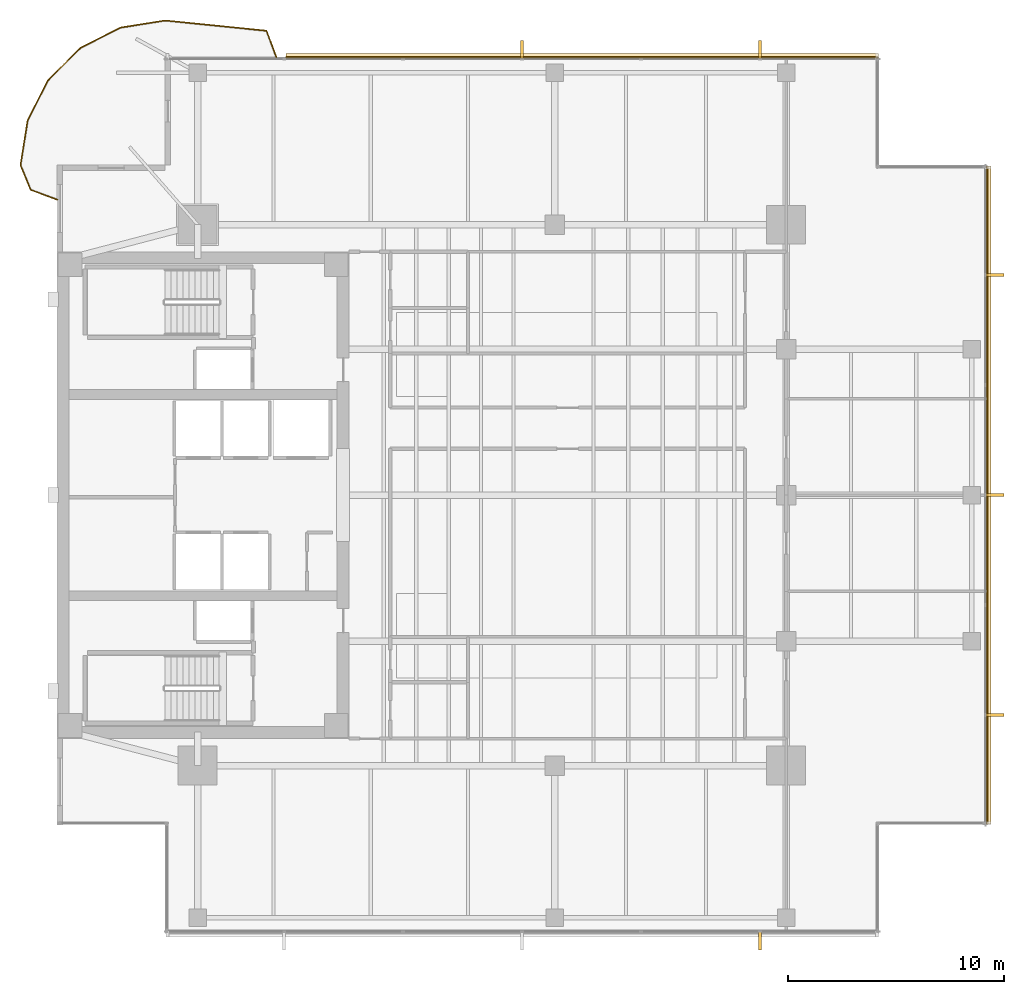
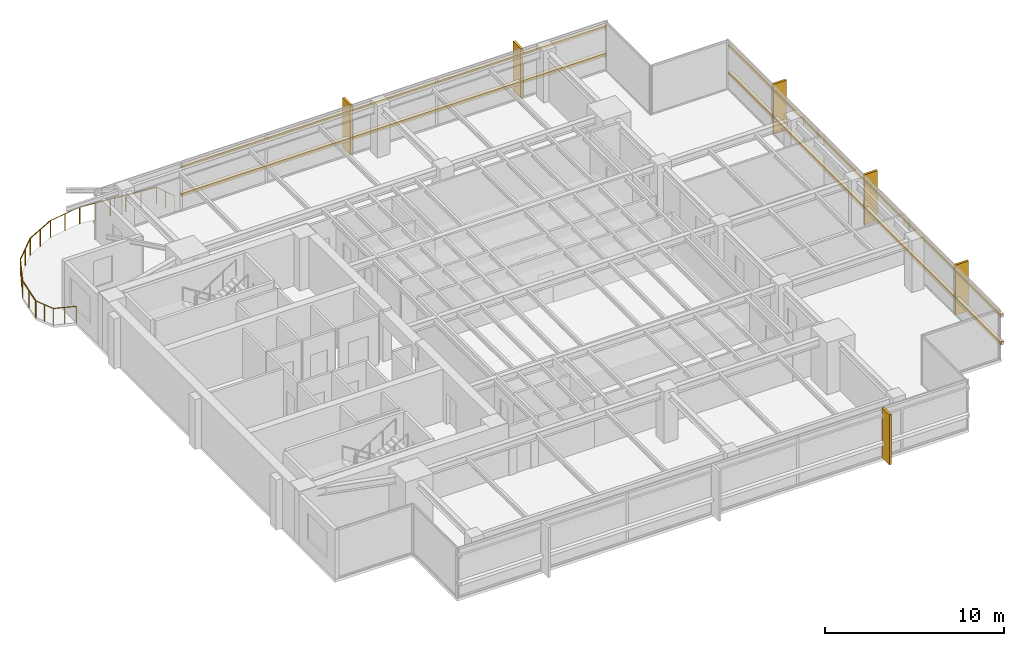
# One storey, part 14 of 14: 10 coverings, 9 railings, 4 shading devices.
"""IFC4 building model written with IfcOpenShell, lengths in metres."""

from ifc_helpers import new_model, si_unit, direction, frame, origin, origin_2d, place, context, subcontext, project, spatial, polyline, rectangle, circle, outline, extrude, material, layer, layer_set, material_profile, profile_set, type_object, element, save


model = new_model("IFC4")

# Units and contexts
model_context = context("Model", 3, precision=1e-05, world=origin(), true_north=direction((0.0, 1.0)))
body_context = subcontext(model_context, "Body", "Model", "MODEL_VIEW")
ifc_project = project(units=[si_unit("LENGTHUNIT", "METRE"), si_unit("AREAUNIT", "SQUARE_METRE"), si_unit("VOLUMEUNIT", "CUBIC_METRE"), si_unit("PLANEANGLEUNIT", "RADIAN"), si_unit("MASSUNIT", "GRAM", prefix="KILO")], contexts=[model_context])

# Site, building, storey
site_placement = place(None, origin())
site = spatial("IfcSite", under=ifc_project, at=site_placement, CompositionType="ELEMENT")
building_placement = place(site_placement, origin())
building = spatial("IfcBuilding", under=site, at=building_placement, Name="Kinhvarn Gate Tower", CompositionType="ELEMENT")
storey_placement = place(building_placement, frame((0.0, 0.0, 209.35009765625)))
storey = spatial("IfcBuildingStorey", under=building, at=storey_placement, Name="L55", CompositionType="ELEMENT", Elevation=209.35009765625)

# Coverings
ifc_material_1 = material(Name="Fired architectural terracotta", Category="masonry")
ifc_layer_1 = layer(ifc_material_1, 0.239990234375)
ifc_layer_set_1 = layer_set([ifc_layer_1], Name="Fired architectural terracotta")
covering_type_1 = type_object("IfcCoveringType", Name="COV-BAG-220", PredefinedType="CLADDING", material=ifc_layer_set_1)
for number, where, name in (
    (1, (0.0, 0.0, 0.93994140625), "Terracotta Horizontal Sunscreen Band TBG-220 (L55)"),
    (2, (0.0, 0.0, 2.809814453125), "Terracotta Horizontal Sunscreen Band TBG-220 (L55)"),
):
    element("IfcCovering", number, at=place(storey_placement, frame(where)), inside=storey, type_object=covering_type_1, Name=name, PredefinedType="CLADDING", context=body_context, shape_type="SweptSolid", body=[
        extrude(outline(polyline([(42.4599609375, 45.429931640625), (15.0810546875, 45.429931640625), (15.0810546875, 45.669921875), (42.4599609375, 45.669921875), (42.4599609375, 45.429931640625)])), origin(), (0.0, 0.0, 1.0), 0.219970703125),
    ])
for number, where, name in (
    (3, (0.0, 0.0, 0.93994140625), "Terracotta Horizontal Sunscreen Band TBG-220 (L55)"),
    (4, (0.0, 0.0, 2.809814453125), "Terracotta Horizontal Sunscreen Band TBG-220 (L55)"),
):
    element("IfcCovering", number, at=place(storey_placement, frame(where)), inside=storey, type_object=covering_type_1, Name=name, PredefinedType="CLADDING", context=body_context, shape_type="SweptSolid", body=[
        extrude(outline(polyline([(47.429931640625, 10.0400390625), (47.429931640625, 40.4599609375), (47.669921875, 40.4599609375), (47.669921875, 10.0400390625), (47.429931640625, 10.0400390625)])), origin(), (0.0, 0.0, 1.0), 0.219970703125),
    ])
ifc_layer_2 = layer(ifc_material_1, 0.139892578125)
ifc_layer_set_2 = layer_set([ifc_layer_2], Name="Fired architectural terracotta")
covering_type_2 = type_object("IfcCoveringType", Name="COV-FIN-850", PredefinedType="CLADDING", material=ifc_layer_set_2)
covering_1_placement = place(storey_placement, frame((0.0, 0.0, -0.02001953125)))
element("IfcCovering", 5, at=covering_1_placement, inside=storey, type_object=covering_type_2, Name="Vertical Terracotta Expressive Fin TFN-850 (L55)", PredefinedType="CLADDING", context=body_context, shape_type="SweptSolid", body=[
    extrude(outline(polyline([(36.929931640625, 5.080078125), (37.070068359375, 5.080078125), (37.070068359375, 4.22998046875), (36.929931640625, 4.22998046875), (36.929931640625, 5.080078125)])), origin(), (0.0, 0.0, 1.0), 3.409912109375),
])
covering_2_placement = place(storey_placement, frame((0.0, 0.0, -0.02001953125)))
element("IfcCovering", 6, at=covering_2_placement, inside=storey, type_object=covering_type_2, Name="Vertical Terracotta Expressive Fin TFN-850 (L55)", PredefinedType="CLADDING", context=body_context, shape_type="SweptSolid", body=[
    extrude(outline(polyline([(37.070068359375, 45.419921875), (36.929931640625, 45.419921875), (36.929931640625, 46.27001953125), (37.070068359375, 46.27001953125), (37.070068359375, 45.419921875)])), origin(), (0.0, 0.0, 1.0), 3.409912109375),
])
covering_3_placement = place(storey_placement, frame((0.0, 0.0, -0.02001953125)))
element("IfcCovering", 7, at=covering_3_placement, inside=storey, type_object=covering_type_2, Name="Vertical Terracotta Expressive Fin TFN-850 (L55)", PredefinedType="CLADDING", context=body_context, shape_type="SweptSolid", body=[
    extrude(outline(polyline([(26.070068359375, 45.419921875), (25.929931640625, 45.419921875), (25.929931640625, 46.27001953125), (26.070068359375, 46.27001953125), (26.070068359375, 45.419921875)])), origin(), (0.0, 0.0, 1.0), 3.409912109375),
])
covering_4_placement = place(storey_placement, frame((0.0, 0.0, -0.02001953125)))
element("IfcCovering", 8, at=covering_4_placement, inside=storey, type_object=covering_type_2, Name="Vertical Terracotta Expressive Fin TFN-850 (L55)", PredefinedType="CLADDING", context=body_context, shape_type="SweptSolid", body=[
    extrude(outline(polyline([(47.419921875, 15.01318359375), (47.419921875, 15.1533203125), (48.27001953125, 15.1533203125), (48.27001953125, 15.01318359375), (47.419921875, 15.01318359375)])), origin(), (0.0, 0.0, 1.0), 3.409912109375),
])
covering_5_placement = place(storey_placement, frame((0.0, 0.0, -0.02001953125)))
element("IfcCovering", 9, at=covering_5_placement, inside=storey, type_object=covering_type_2, Name="Vertical Terracotta Expressive Fin TFN-850 (L55)", PredefinedType="CLADDING", context=body_context, shape_type="SweptSolid", body=[
    extrude(outline(polyline([(47.419921875, 25.179931640625), (47.419921875, 25.320068359375), (48.27001953125, 25.320068359375), (48.27001953125, 25.179931640625), (47.419921875, 25.179931640625)])), origin(), (0.0, 0.0, 1.0), 3.409912109375),
])
covering_6_placement = place(storey_placement, frame((0.0, 0.0, -0.02001953125)))
element("IfcCovering", 10, at=covering_6_placement, inside=storey, type_object=covering_type_2, Name="Vertical Terracotta Expressive Fin TFN-850 (L55)", PredefinedType="CLADDING", context=body_context, shape_type="SweptSolid", body=[
    extrude(outline(polyline([(47.419921875, 35.3466796875), (47.419921875, 35.48681640625), (48.27001953125, 35.48681640625), (48.27001953125, 35.3466796875), (47.419921875, 35.3466796875)])), origin(), (0.0, 0.0, 1.0), 3.409912109375),
])

# Railings
ifc_material_2 = material(Name="Clear low-e double glazing", Category="glass")
railing_type = type_object("IfcRailingType", Name="RL-BAL-1150", PredefinedType="BALUSTRADE", material=ifc_material_2)
railing_1_placement = place(storey_placement, frame((14.631103515625, 45.5, 0.0)))
element("IfcRailing", 11, at=railing_1_placement, inside=storey, type_object=railing_type, Name="S-Carve Balcony Guardrail Seg 1 (L55)", PredefinedType="BALUSTRADE", context=body_context, shape_type="SweptSolid", body=[
    extrude(circle(Radius=0.02392578125, at=origin_2d()), frame((0.0, 0.0, 1.1259765625), z_axis=(-0.346995640451, 0.937866741871, 0.0), x_axis=(-0.937866741871, -0.346995640451, 0.0)), (0.0, 0.0, 1.0), 1.29736328125),
    extrude(circle(Radius=0.02099609375, at=origin_2d()), origin(), (0.0, 0.0, 1.0), 1.101806640625),
    extrude(circle(Radius=0.02099609375, at=origin_2d()), frame((-0.22509765625, 0.6083984375, 0.0)), (0.0, 0.0, 1.0), 1.101806640625),
    extrude(circle(Radius=0.02099609375, at=origin_2d()), frame((-0.4501953125, 1.216796875, 0.0)), (0.0, 0.0, 1.0), 1.101806640625),
])
railing_2_placement = place(storey_placement, frame((14.180908203125, 46.716796875, 0.0)))
element("IfcRailing", 12, at=railing_2_placement, inside=storey, type_object=railing_type, Name="S-Carve Balcony Guardrail Seg 2 (L55)", PredefinedType="BALUSTRADE", context=body_context, shape_type="SweptSolid", body=[
    extrude(circle(Radius=0.02392578125, at=origin_2d()), frame((0.0, 0.0, 1.1259765625), z_axis=(-0.994930268396, 0.100567196586, 0.0), x_axis=(-0.100567196586, -0.994930268396, 0.0)), (0.0, 0.0, 1.0), 4.704833984375),
    extrude(circle(Radius=0.02099609375, at=origin_2d()), origin(), (0.0, 0.0, 1.0), 1.101806640625),
    extrude(circle(Radius=0.02099609375, at=origin_2d()), frame((-0.936279296875, 0.0947265625, 0.0)), (0.0, 0.0, 1.0), 1.101806640625),
    extrude(circle(Radius=0.02099609375, at=origin_2d()), frame((-1.872314453125, 0.189208984375, 0.0)), (0.0, 0.0, 1.0), 1.101806640625),
    extrude(circle(Radius=0.02099609375, at=origin_2d()), frame((-2.80859375, 0.283935546875, 0.0)), (0.0, 0.0, 1.0), 1.101806640625),
    extrude(circle(Radius=0.02099609375, at=origin_2d()), frame((-3.74462890625, 0.37841796875, 0.0)), (0.0, 0.0, 1.0), 1.101806640625),
    extrude(circle(Radius=0.02099609375, at=origin_2d()), frame((-4.680908203125, 0.47314453125, 0.0)), (0.0, 0.0, 1.0), 1.101806640625),
])
railing_3_placement = place(storey_placement, frame((9.5, 47.18994140625, 0.0)))
element("IfcRailing", 13, at=railing_3_placement, inside=storey, type_object=railing_type, Name="S-Carve Balcony Guardrail Seg 3 (L55)", PredefinedType="BALUSTRADE", context=body_context, shape_type="SweptSolid", body=[
    extrude(circle(Radius=0.02392578125, at=origin_2d()), frame((0.0, 0.0, 1.1259765625), z_axis=(-0.987691934572, -0.156411771878, 0.0), x_axis=(0.156411771878, -0.987691934572, 0.0)), (0.0, 0.0, 1.0), 2.09326171875),
    extrude(circle(Radius=0.02099609375, at=origin_2d()), origin(), (0.0, 0.0, 1.0), 1.101806640625),
    extrude(circle(Radius=0.02099609375, at=origin_2d()), frame((-1.03369140625, -0.16357421875, 0.0)), (0.0, 0.0, 1.0), 1.101806640625),
    extrude(circle(Radius=0.02099609375, at=origin_2d()), frame((-2.0673828125, -0.327392578125, 0.0)), (0.0, 0.0, 1.0), 1.101806640625),
])
railing_4_placement = place(storey_placement, frame((7.4326171875, 46.862548828125, 0.0)))
element("IfcRailing", 14, at=railing_4_placement, inside=storey, type_object=railing_type, Name="S-Carve Balcony Guardrail Seg 4 (L55)", PredefinedType="BALUSTRADE", context=body_context, shape_type="SweptSolid", body=[
    extrude(circle(Radius=0.02392578125, at=origin_2d()), frame((0.0, 0.0, 1.1259765625), z_axis=(-0.891019022823, -0.453965968953, 0.0), x_axis=(0.453965968953, -0.891019022823, 0.0)), (0.0, 0.0, 1.0), 2.093017578125),
    extrude(circle(Radius=0.02099609375, at=origin_2d()), origin(), (0.0, 0.0, 1.0), 1.101806640625),
    extrude(circle(Radius=0.02099609375, at=origin_2d()), frame((-0.9326171875, -0.47509765625, 0.0)), (0.0, 0.0, 1.0), 1.101806640625),
    extrude(circle(Radius=0.02099609375, at=origin_2d()), frame((-1.864990234375, -0.9501953125, 0.0)), (0.0, 0.0, 1.0), 1.101806640625),
])
railing_5_placement = place(storey_placement, frame((5.567626953125, 45.912353515625, 0.0)))
element("IfcRailing", 15, at=railing_5_placement, inside=storey, type_object=railing_type, Name="S-Carve Balcony Guardrail Seg 5 (L55)", PredefinedType="BALUSTRADE", context=body_context, shape_type="SweptSolid", body=[
    extrude(circle(Radius=0.02392578125, at=origin_2d()), frame((0.0, 0.0, 1.1259765625), z_axis=(-0.707106781187, -0.707106781187, 0.0), x_axis=(0.707106781187, -0.707106781187, 0.0)), (0.0, 0.0, 1.0), 2.093017578125),
    extrude(circle(Radius=0.02099609375, at=origin_2d()), origin(), (0.0, 0.0, 1.0), 1.101806640625),
    extrude(circle(Radius=0.02099609375, at=origin_2d()), frame((-0.739990234375, -0.739990234375, 0.0)), (0.0, 0.0, 1.0), 1.101806640625),
    extrude(circle(Radius=0.02099609375, at=origin_2d()), frame((-1.47998046875, -1.47998046875, 0.0)), (0.0, 0.0, 1.0), 1.101806640625),
])
railing_6_placement = place(storey_placement, frame((4.087646484375, 44.432373046875, 0.0)))
element("IfcRailing", 16, at=railing_6_placement, inside=storey, type_object=railing_type, Name="S-Carve Balcony Guardrail Seg 6 (L55)", PredefinedType="BALUSTRADE", context=body_context, shape_type="SweptSolid", body=[
    extrude(circle(Radius=0.02392578125, at=origin_2d()), frame((0.0, 0.0, 1.1259765625), z_axis=(-0.453965968953, -0.891019022823, 0.0), x_axis=(0.891019022823, -0.453965968953, 0.0)), (0.0, 0.0, 1.0), 2.093017578125),
    extrude(circle(Radius=0.02099609375, at=origin_2d()), origin(), (0.0, 0.0, 1.0), 1.101806640625),
    extrude(circle(Radius=0.02099609375, at=origin_2d()), frame((-0.47509765625, -0.9326171875, 0.0)), (0.0, 0.0, 1.0), 1.101806640625),
    extrude(circle(Radius=0.02099609375, at=origin_2d()), frame((-0.9501953125, -1.864990234375, 0.0)), (0.0, 0.0, 1.0), 1.101806640625),
])
railing_7_placement = place(storey_placement, frame((3.137451171875, 42.5673828125, 0.0)))
element("IfcRailing", 17, at=railing_7_placement, inside=storey, type_object=railing_type, Name="S-Carve Balcony Guardrail Seg 7 (L55)", PredefinedType="BALUSTRADE", context=body_context, shape_type="SweptSolid", body=[
    extrude(circle(Radius=0.02392578125, at=origin_2d()), frame((0.0, 0.0, 1.1259765625), z_axis=(-0.156411771878, -0.987691934572, 0.0), x_axis=(0.987691934572, -0.156411771878, 0.0)), (0.0, 0.0, 1.0), 2.09326171875),
    extrude(circle(Radius=0.02099609375, at=origin_2d()), origin(), (0.0, 0.0, 1.0), 1.101806640625),
    extrude(circle(Radius=0.02099609375, at=origin_2d()), frame((-0.16357421875, -1.03369140625, 0.0)), (0.0, 0.0, 1.0), 1.101806640625),
    extrude(circle(Radius=0.02099609375, at=origin_2d()), frame((-0.327392578125, -2.0673828125, 0.0)), (0.0, 0.0, 1.0), 1.101806640625),
])
railing_8_placement = place(storey_placement, frame((2.81005859375, 40.5, 0.0)))
element("IfcRailing", 18, at=railing_8_placement, inside=storey, type_object=railing_type, Name="S-Carve Balcony Guardrail Seg 8 (L55)", PredefinedType="BALUSTRADE", context=body_context, shape_type="SweptSolid", body=[
    extrude(circle(Radius=0.02392578125, at=origin_2d()), frame((0.0, 0.0, 1.1259765625), z_axis=(0.384207117703, -0.923246928349, 0.0), x_axis=(0.923246928349, 0.384207117703, 0.0)), (0.0, 0.0, 1.0), 1.2314453125),
    extrude(circle(Radius=0.02099609375, at=origin_2d()), origin(), (0.0, 0.0, 1.0), 1.101806640625),
    extrude(circle(Radius=0.02099609375, at=origin_2d()), frame((0.236572265625, -0.568359375, 0.0)), (0.0, 0.0, 1.0), 1.101806640625),
    extrude(circle(Radius=0.02099609375, at=origin_2d()), frame((0.47314453125, -1.136962890625, 0.0)), (0.0, 0.0, 1.0), 1.101806640625),
])
railing_9_placement = place(storey_placement, frame((3.283203125, 39.363037109375, 0.0)))
element("IfcRailing", 19, at=railing_9_placement, inside=storey, type_object=railing_type, Name="S-Carve Balcony Guardrail Seg 9 (L55)", PredefinedType="BALUSTRADE", context=body_context, shape_type="SweptSolid", body=[
    extrude(circle(Radius=0.02392578125, at=origin_2d()), frame((0.0, 0.0, 1.1259765625), z_axis=(0.937927970285, -0.346830106187, 0.0), x_axis=(0.346830106187, 0.937927970285, 0.0)), (0.0, 0.0, 1.0), 1.29736328125),
    extrude(circle(Radius=0.02099609375, at=origin_2d()), origin(), (0.0, 0.0, 1.0), 1.101806640625),
    extrude(circle(Radius=0.02099609375, at=origin_2d()), frame((0.6083984375, -0.22509765625, 0.0)), (0.0, 0.0, 1.0), 1.101806640625),
    extrude(circle(Radius=0.02099609375, at=origin_2d()), frame((1.216796875, -0.449951171875, 0.0)), (0.0, 0.0, 1.0), 1.101806640625),
])

# Shading devices
ifc_material_profile = material_profile(ifc_material_1, rectangle(XDim=0.050048828125, YDim=0.1201171875, at=origin_2d()), Name="TC 50x120")
ifc_profile_set = profile_set([ifc_material_profile], Name="Fired architectural terracotta")
shading_device_type = type_object("IfcShadingDeviceType", Name="SHD-BAG-140", PredefinedType="USERDEFINED", material=ifc_profile_set)
for number, where, z_axis, x_axis, name in (
    (20, (42.4599609375, 45.5, 1.0498046875), (-1.0, 0.0, 0.0), (0.0, -1.0, 0.0), "Upper Tower Terracotta Baguette Screen Rod 50x120 mm (L55)"),
    (21, (42.4599609375, 45.5, 2.919921875), (-1.0, 0.0, 0.0), (0.0, -1.0, 0.0), "Upper Tower Terracotta Baguette Screen Rod 50x120 mm (L55)"),
):
    element("IfcShadingDevice", number, at=place(storey_placement, frame(where, z_axis=z_axis, x_axis=x_axis)), inside=storey, type_object=shading_device_type, Name=name, ObjectType="BAGUETTE", PredefinedType="USERDEFINED", context=body_context, shape_type="SweptSolid", body=[
        extrude(rectangle(XDim=0.050048828125, YDim=0.1201171875, at=origin_2d()), origin(), (0.0, 0.0, 1.0), 27.37890625),
    ])
for number, where, z_axis, x_axis, name in (
    (22, (47.5, 10.0400390625, 1.0498046875), (0.0, 1.0, 0.0), (-1.0, 0.0, 0.0), "Upper Tower Terracotta Baguette Screen Rod 50x120 mm (L55)"),
    (23, (47.5, 10.0400390625, 2.919921875), (0.0, 1.0, 0.0), (-1.0, 0.0, 0.0), "Upper Tower Terracotta Baguette Screen Rod 50x120 mm (L55)"),
):
    element("IfcShadingDevice", number, at=place(storey_placement, frame(where, z_axis=z_axis, x_axis=x_axis)), inside=storey, type_object=shading_device_type, Name=name, ObjectType="BAGUETTE", PredefinedType="USERDEFINED", context=body_context, shape_type="SweptSolid", body=[
        extrude(rectangle(XDim=0.050048828125, YDim=0.1201171875, at=origin_2d()), origin(), (0.0, 0.0, 1.0), 30.419921875),
    ])

save(model, "model.ifc")
